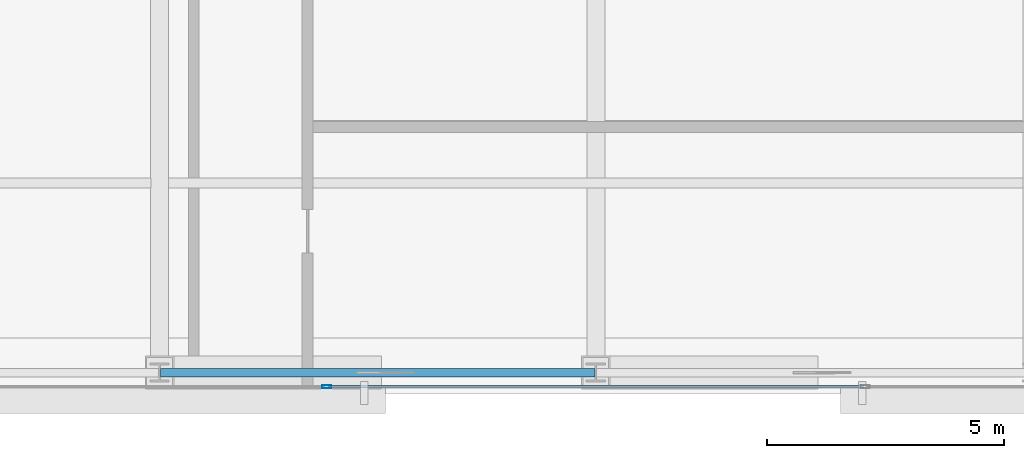
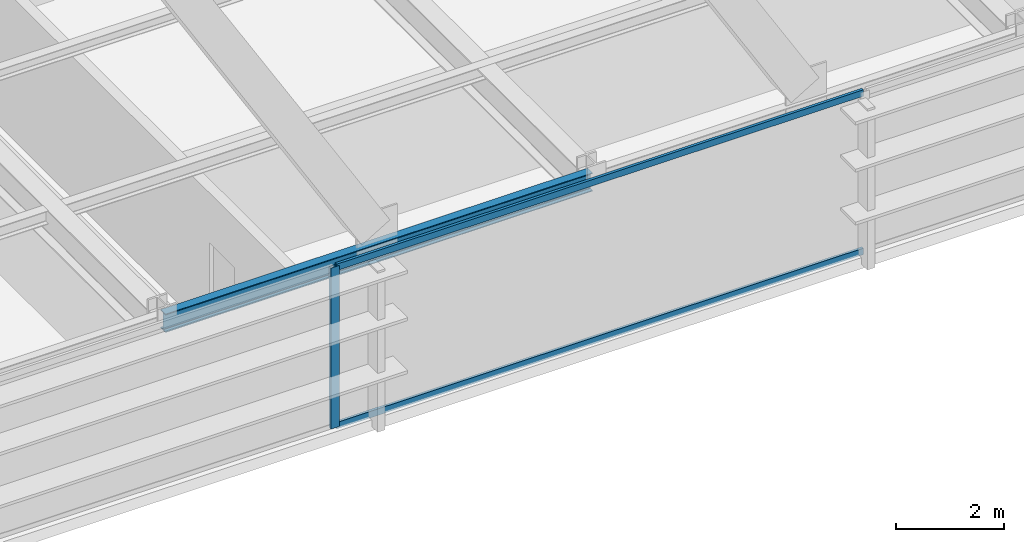
# One storey, part 6 of 35: 3 members, 1 beam, 1 element without a shape of its own.
"""IFC4 building model written with IfcOpenShell, lengths in metres."""

from ifc_helpers import new_model, si_unit, direction, frame, origin, origin_2d, place, context, subcontext, project, spatial, hollow_rectangle, i_section, extrude, source, transform, mapped, material, layer, layer_set, material_profile, profile_set, type_object, type_shapes, element, aggregate, save


model = new_model("IFC4")

# Units and contexts
model_context = context("Model", 3, precision=1e-05, world=origin(), true_north=direction((0.0, 1.0)))
body_context = subcontext(model_context, "Body", "Model", "MODEL_VIEW")
ifc_project = project(units=[si_unit("LENGTHUNIT", "METRE"), si_unit("AREAUNIT", "SQUARE_METRE"), si_unit("VOLUMEUNIT", "CUBIC_METRE"), si_unit("PLANEANGLEUNIT", "RADIAN"), si_unit("MASSUNIT", "GRAM", prefix="KILO")], contexts=[model_context])

# Site, building, storey
site_placement = place(None, origin())
site = spatial("IfcSite", under=ifc_project, at=site_placement, CompositionType="ELEMENT")
building_placement = place(site_placement, origin())
building = spatial("IfcBuilding", under=site, at=building_placement, Name="Varnel Quay Broadcast Tower", CompositionType="ELEMENT")
storey_placement = place(building_placement, frame((0.0, 0.0, 31.5)))
storey = spatial("IfcBuildingStorey", under=building, at=storey_placement, Name="L06", CompositionType="ELEMENT", Elevation=31.5)

# Beam
ifc_material_1 = material(Name="Structural Steel CSA G40.21 350W", Category="steel")
ifc_material_profile_1 = material_profile(ifc_material_1, i_section(OverallWidth=0.180908203125, OverallDepth=0.4169921875, WebThickness=0.010986328125, FlangeThickness=0.018310546875, FilletRadius=0.011962890625, at=origin_2d()), Name="W410X85")
ifc_profile_set_1 = profile_set([ifc_material_profile_1], Name="Structural Steel CSA G40.21 350W")
beam_type = type_object("IfcBeamType", Name="Beam_W410X85", PredefinedType="SPANDREL", material=ifc_profile_set_1)
shared_shape_1 = source(origin(), body_context, "Body", "SweptSolid", [
    extrude(i_section(OverallWidth=0.180908203125, OverallDepth=0.4169921875, WebThickness=0.010986328125, FlangeThickness=0.018310546875, FilletRadius=0.011962890625, at=origin_2d()), origin(), (0.0, 0.0, 1.0), 9.159912109375),
])
type_shapes(beam_type, [shared_shape_1])
beam_placement = place(storey_placement, frame((24.820068359375, 1.64990234375, 3.44140625), z_axis=(1.0, 0.0, 0.0), x_axis=(0.0, 1.0, 0.0)))
element("IfcBeam", 1, at=beam_placement, inside=storey, type_object=beam_type, Name="L06 South Spandrel TC-S2-TC-S3", PredefinedType="SPANDREL", context=body_context, shape_type="MappedRepresentation", body=[
    mapped(shared_shape_1, transform((0.0, 0.0, 0.0), x_axis=(1.0, 0.0, 0.0), y_axis=(0.0, 1.0, 0.0), z_axis=(0.0, 0.0, 1.0), scale=1.0)),
])

# Curtain wall, members
ifc_material_2 = material(Name="Anodised Bronze Aluminium 6063-T6", Category="aluminium")
ifc_layer = layer(ifc_material_2, 0.18994140625, Name="Anodised Bronze Aluminium 6063-T6")
ifc_layer_set = layer_set([ifc_layer], Name="Anodised Bronze Aluminium 6063-T6")
curtain_wall_type = type_object("IfcCurtainWallType", Name="CW_LowerTower", PredefinedType="NOTDEFINED", material=ifc_layer_set)
curtain_wall_placement = place(storey_placement, origin())
curtain_wall = element("IfcCurtainWall", 2, at=curtain_wall_placement, inside=storey, type_object=curtain_wall_type, Name="L06 South Unitised Curtain Wall 1", PredefinedType="NOTDEFINED")
ifc_material_profile_2 = material_profile(ifc_material_2, hollow_rectangle(XDim=0.070068359375, YDim=0.18994140625, WallThickness=0.00390625, at=origin_2d()), Name="ALU70X190X4")
ifc_profile_set_2 = profile_set([ifc_material_profile_2], Name="Anodised Bronze Aluminium 6063-T6")
member_type_1 = type_object("IfcMemberType", Name="Mull_CWS-02", PredefinedType="MULLION", material=ifc_profile_set_2)
shared_shape_2 = source(origin(), body_context, "Body", "SweptSolid", [
    extrude(hollow_rectangle(XDim=0.070068359375, YDim=0.18994140625, WallThickness=0.00390625, at=origin_2d()), origin(), (0.0, 0.0, 1.0), 3.64990234375),
])
type_shapes(member_type_1, [shared_shape_2])
member_1_placement = place(storey_placement, frame((28.320068359375, 1.35009765625, 0.0), z_axis=(0.0, 0.0, 1.0), x_axis=(0.0, 1.0, 0.0)))
member_1 = element("IfcMember", 3, at=member_1_placement, type_object=member_type_1, Name="CWS-02 mullion 3", PredefinedType="MULLION", context=body_context, shape_type="MappedRepresentation", body=[
    mapped(shared_shape_2, transform((0.0, 0.0, 0.0), x_axis=(1.0, 0.0, 0.0), y_axis=(0.0, 1.0, 0.0), z_axis=(0.0, 0.0, 1.0), scale=1.0)),
])
ifc_material_profile_3 = material_profile(ifc_material_2, hollow_rectangle(XDim=0.06005859375, YDim=0.14501953125, WallThickness=0.00341796875, at=origin_2d()), Name="ALU60X145X3.5")
ifc_profile_set_3 = profile_set([ifc_material_profile_3], Name="Anodised Bronze Aluminium 6063-T6")
member_type_2 = type_object("IfcMemberType", Name="Tran_CWS-02", PredefinedType="USERDEFINED", material=ifc_profile_set_3)
shared_shape_3 = source(origin(), body_context, "Body", "SweptSolid", [
    extrude(hollow_rectangle(XDim=0.06005859375, YDim=0.14501953125, WallThickness=0.00341796875, at=origin_2d()), origin(), (0.0, 0.0, 1.0), 11.2900390625),
])
type_shapes(member_type_2, [shared_shape_3])
member_2_placement = place(storey_placement, frame((28.35498046875, 1.35009765625, 0.030029296875), z_axis=(1.0, 0.0, 0.0), x_axis=(0.0, 1.0, 0.0)))
member_2 = element("IfcMember", 4, at=member_2_placement, type_object=member_type_2, Name="CWS-02 transom 3.1", ObjectType="TRANSOM", PredefinedType="USERDEFINED", context=body_context, shape_type="MappedRepresentation", body=[
    mapped(shared_shape_3, transform((0.0, 0.0, 0.0), x_axis=(1.0, 0.0, 0.0), y_axis=(0.0, 1.0, 0.0), z_axis=(0.0, 0.0, 1.0), scale=1.0)),
])
member_3_placement = place(storey_placement, frame((28.35498046875, 1.35009765625, 3.6201171875), z_axis=(1.0, 0.0, 0.0), x_axis=(0.0, 1.0, 0.0)))
member_3 = element("IfcMember", 5, at=member_3_placement, type_object=member_type_2, Name="CWS-02 transom 3.2", ObjectType="TRANSOM", PredefinedType="USERDEFINED", context=body_context, shape_type="MappedRepresentation", body=[
    mapped(shared_shape_3, transform((0.0, 0.0, 0.0), x_axis=(1.0, 0.0, 0.0), y_axis=(0.0, 1.0, 0.0), z_axis=(0.0, 0.0, 1.0), scale=1.0)),
])
aggregate(curtain_wall, [member_1, member_2, member_3])

save(model, "model.ifc")
